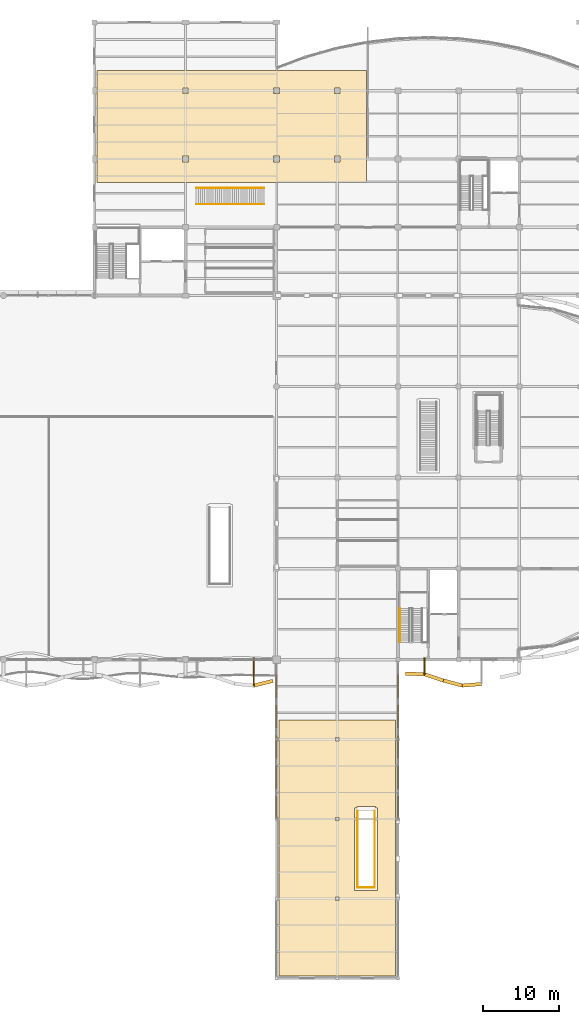
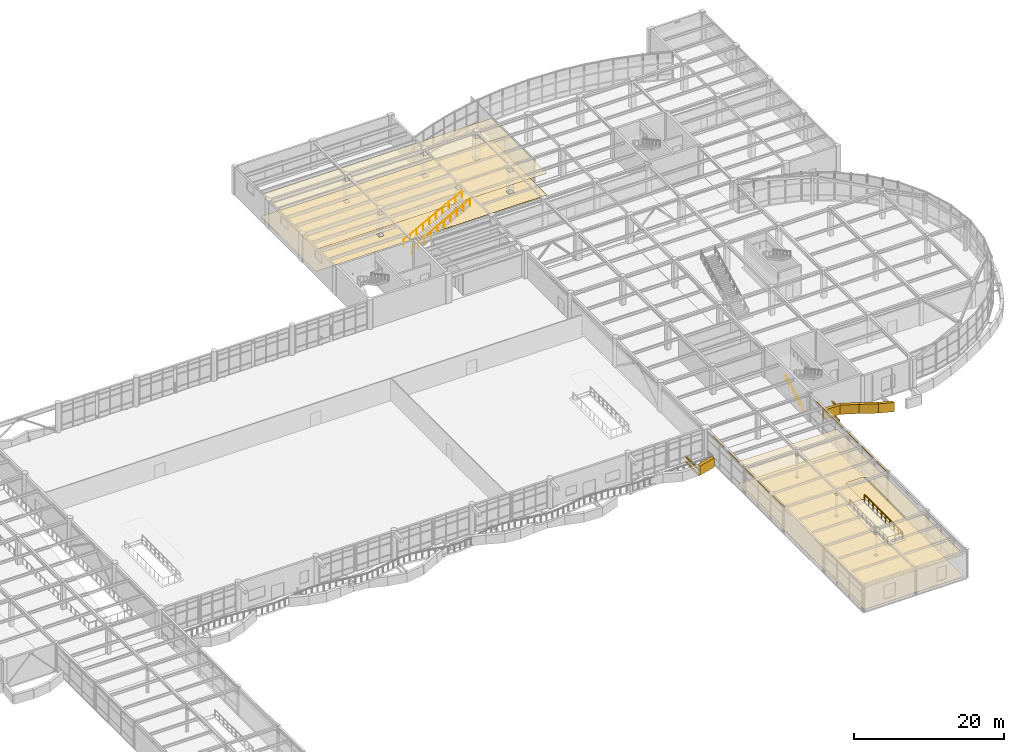
# One storey, part 66 of 72: 13 coverings, 10 shading devices, 4 railings.
"""IFC4 building model written with IfcOpenShell, lengths in metres."""

from ifc_helpers import new_model, si_unit, direction, frame, frame_2d, origin, origin_2d, place, context, subcontext, project, spatial, polyline, rectangle, circle, outline, extrude, material, layer, layer_set, type_object, element, save


model = new_model("IFC4")

# Units and contexts
model_context = context("Model", 3, precision=1e-05, world=origin(), true_north=direction((0.0, 1.0)))
body_context = subcontext(model_context, "Body", "Model", "MODEL_VIEW")
ifc_project = project(units=[si_unit("LENGTHUNIT", "METRE"), si_unit("AREAUNIT", "SQUARE_METRE"), si_unit("VOLUMEUNIT", "CUBIC_METRE"), si_unit("PLANEANGLEUNIT", "RADIAN"), si_unit("MASSUNIT", "GRAM", prefix="KILO")], contexts=[model_context])

# Site, building, storey
site_placement = place(None, origin())
site = spatial("IfcSite", under=ifc_project, at=site_placement, CompositionType="ELEMENT")
building_placement = place(site_placement, origin())
building = spatial("IfcBuilding", under=site, at=building_placement, Name="Keelwater Ferry Terminal", CompositionType="ELEMENT")
storey_placement = place(building_placement, frame((0.0, 0.0, 5.39990234375)))
storey = spatial("IfcBuildingStorey", under=building, at=storey_placement, Name="L01", CompositionType="ELEMENT", Elevation=5.39990234375)

# Coverings
ifc_material_1 = material(Name="Perforated acoustic gypsum board ceiling", Category="gypsum")
ifc_layer_1 = layer(ifc_material_1, 0.044921875)
ifc_layer_set_1 = layer_set([ifc_layer_1], Name="Perforated acoustic gypsum board ceiling")
covering_type_1 = type_object("IfcCoveringType", Name="CL-AC Acoustic Baffle Ceiling", PredefinedType="CEILING", material=ifc_layer_set_1)
covering_1_placement = place(storey_placement, frame((0.0, 0.0, 3.550048828125)))
element("IfcCovering", 1, at=covering_1_placement, inside=storey, type_object=covering_type_1, Name="East Passenger Boarding Bridge Acoustic Ceiling", PredefinedType="CEILING", context=body_context, shape_type="SweptSolid", body=[
    extrude(outline(polyline([(147.615966796875, 34.077880859375), (147.623046875, 34.076904296875), (147.631103515625, 34.073974609375), (147.637939453125, 34.071044921875), (147.64404296875, 34.06689453125), (147.65087890625, 34.06201171875), (147.656982421875, 34.056884765625), (147.662109375, 34.051025390625), (147.6669921875, 34.0439453125), (147.6708984375, 34.0380859375), (147.674072265625, 34.031005859375), (147.677001953125, 34.02294921875), (147.677978515625, 34.01611328125), (147.679931640625, 34.008056640625), (147.679931640625, 34.0), (147.679931640625, 0.39990234375), (147.679931640625, 0.39208984375), (147.677978515625, 0.384033203125), (147.677001953125, 0.376953125), (147.674072265625, 0.368896484375), (147.6708984375, 0.362060546875), (147.6669921875, 0.35595703125), (147.662109375, 0.34912109375), (147.656982421875, 0.343017578125), (147.65087890625, 0.337890625), (147.64404296875, 0.3330078125), (147.637939453125, 0.3291015625), (147.631103515625, 0.325927734375), (147.623046875, 0.322998046875), (147.615966796875, 0.322021484375), (147.60791015625, 0.320068359375), (147.60009765625, 0.320068359375), (132.39990234375, 0.320068359375), (132.39208984375, 0.320068359375), (132.384033203125, 0.322021484375), (132.376953125, 0.322998046875), (132.368896484375, 0.325927734375), (132.362060546875, 0.3291015625), (132.35595703125, 0.3330078125), (132.34912109375, 0.337890625), (132.343017578125, 0.343017578125), (132.337890625, 0.34912109375), (132.3330078125, 0.35595703125), (132.3291015625, 0.362060546875), (132.325927734375, 0.368896484375), (132.322998046875, 0.376953125), (132.322021484375, 0.384033203125), (132.320068359375, 0.39208984375), (132.320068359375, 0.39990234375), (132.320068359375, 34.0), (132.320068359375, 34.008056640625), (132.322021484375, 34.01611328125), (132.322998046875, 34.02294921875), (132.325927734375, 34.031005859375), (132.3291015625, 34.0380859375), (132.3330078125, 34.0439453125), (132.337890625, 34.051025390625), (132.343017578125, 34.056884765625), (132.34912109375, 34.06201171875), (132.35595703125, 34.06689453125), (132.362060546875, 34.071044921875), (132.368896484375, 34.073974609375), (132.376953125, 34.076904296875), (132.384033203125, 34.077880859375), (132.39208984375, 34.080078125), (132.39990234375, 34.080078125), (147.60009765625, 34.080078125), (147.60791015625, 34.080078125), (147.615966796875, 34.077880859375)]), holes=[polyline([(142.580078125, 22.6201171875), (142.580078125, 22.47998046875), (142.300048828125, 22.47998046875), (142.300048828125, 11.60009765625), (145.300048828125, 11.60009765625), (145.300048828125, 22.47998046875), (145.02001953125, 22.47998046875), (145.02001953125, 22.6201171875), (142.580078125, 22.6201171875)]), polyline([(139.787109375, 10.712890625), (139.787109375, 10.287109375), (140.212890625, 10.287109375), (140.212890625, 10.712890625), (139.787109375, 10.712890625)]), polyline([(139.787109375, 21.212890625), (139.787109375, 20.787109375), (140.212890625, 20.787109375), (140.212890625, 21.212890625), (139.787109375, 21.212890625)]), polyline([(139.787109375, 31.712890625), (139.787109375, 31.287109375), (140.212890625, 31.287109375), (140.212890625, 31.712890625), (139.787109375, 31.712890625)])]), origin(), (0.0, 0.0, 1.0), 0.045166015625),
])
covering_2_placement = place(storey_placement, frame((0.0, 0.0, 3.550048828125)))
element("IfcCovering", 2, at=covering_2_placement, inside=storey, type_object=covering_type_1, Name="Schengen Waiting Lounge Acoustic Ceiling", PredefinedType="CEILING", context=body_context, shape_type="SweptSolid", body=[
    extrude(outline(polyline([(143.81591796875, 119.677978515625), (143.822998046875, 119.677001953125), (143.8310546875, 119.674072265625), (143.837890625, 119.6708984375), (143.843994140625, 119.6669921875), (143.85107421875, 119.662109375), (143.85693359375, 119.656982421875), (143.862060546875, 119.65087890625), (143.866943359375, 119.64404296875), (143.87109375, 119.637939453125), (143.8740234375, 119.631103515625), (143.876953125, 119.623046875), (143.8779296875, 119.615966796875), (143.8798828125, 119.60791015625), (143.8798828125, 119.60009765625), (143.8798828125, 105.0), (143.8798828125, 104.991943359375), (143.8779296875, 104.98388671875), (143.876953125, 104.97705078125), (143.8740234375, 104.968994140625), (143.87109375, 104.9619140625), (143.866943359375, 104.9560546875), (143.862060546875, 104.948974609375), (143.85693359375, 104.943115234375), (143.85107421875, 104.93798828125), (143.843994140625, 104.93310546875), (143.837890625, 104.928955078125), (143.8310546875, 104.926025390625), (143.822998046875, 104.923095703125), (143.81591796875, 104.922119140625), (143.80810546875, 104.919921875), (143.800048828125, 104.919921875), (108.39990234375, 104.919921875), (108.39208984375, 104.919921875), (108.384033203125, 104.922119140625), (108.376953125, 104.923095703125), (108.368896484375, 104.926025390625), (108.362060546875, 104.928955078125), (108.35595703125, 104.93310546875), (108.34912109375, 104.93798828125), (108.343017578125, 104.943115234375), (108.337890625, 104.948974609375), (108.3330078125, 104.9560546875), (108.3291015625, 104.9619140625), (108.325927734375, 104.968994140625), (108.322998046875, 104.97705078125), (108.322021484375, 104.98388671875), (108.320068359375, 104.991943359375), (108.320068359375, 105.0), (108.320068359375, 119.60009765625), (108.320068359375, 119.60791015625), (108.322021484375, 119.615966796875), (108.322998046875, 119.623046875), (108.325927734375, 119.631103515625), (108.3291015625, 119.637939453125), (108.3330078125, 119.64404296875), (108.337890625, 119.65087890625), (108.343017578125, 119.656982421875), (108.34912109375, 119.662109375), (108.35595703125, 119.6669921875), (108.362060546875, 119.6708984375), (108.368896484375, 119.674072265625), (108.376953125, 119.677001953125), (108.384033203125, 119.677978515625), (108.39208984375, 119.679931640625), (108.39990234375, 119.679931640625), (143.800048828125, 119.679931640625), (143.80810546875, 119.679931640625), (143.81591796875, 119.677978515625)]), holes=[polyline([(119.614990234375, 108.385009765625), (119.614990234375, 107.614990234375), (120.385009765625, 107.614990234375), (120.385009765625, 108.385009765625), (119.614990234375, 108.385009765625)]), polyline([(119.6650390625, 117.3349609375), (119.6650390625, 116.6650390625), (120.3349609375, 116.6650390625), (120.3349609375, 117.3349609375), (119.6650390625, 117.3349609375)]), polyline([(132.385009765625, 108.385009765625), (131.614990234375, 108.385009765625), (131.614990234375, 107.614990234375), (132.385009765625, 107.614990234375), (132.385009765625, 108.385009765625)]), polyline([(139.614990234375, 108.385009765625), (139.614990234375, 107.614990234375), (140.385009765625, 107.614990234375), (140.385009765625, 108.385009765625), (139.614990234375, 108.385009765625)]), polyline([(131.614990234375, 117.385009765625), (131.614990234375, 116.614990234375), (132.385009765625, 116.614990234375), (132.385009765625, 117.385009765625), (131.614990234375, 117.385009765625)]), polyline([(140.385009765625, 117.385009765625), (139.614990234375, 117.385009765625), (139.614990234375, 116.614990234375), (140.385009765625, 116.614990234375), (140.385009765625, 117.385009765625)])]), origin(), (0.0, 0.0, 1.0), 0.045166015625),
])
ifc_material_2 = material(Name="Polished mineral terrazzo tile", Category="stone")
ifc_layer_2 = layer(ifc_material_2, 0.030029296875)
ifc_layer_set_2 = layer_set([ifc_layer_2], Name="Polished mineral terrazzo tile")
covering_type_2 = type_object("IfcCoveringType", Name="FL-TZ Marine Terrazzo Flooring", PredefinedType="FLOORING", material=ifc_layer_set_2)
covering_3_placement = place(storey_placement, origin())
element("IfcCovering", 3, at=covering_3_placement, inside=storey, type_object=covering_type_2, Name="East Passenger Boarding Bridge Terrazzo Floor", PredefinedType="FLOORING", context=body_context, shape_type="SweptSolid", body=[
    extrude(outline(polyline([(147.615966796875, 34.077880859375), (147.623046875, 34.076904296875), (147.631103515625, 34.073974609375), (147.637939453125, 34.071044921875), (147.64404296875, 34.06689453125), (147.65087890625, 34.06201171875), (147.656982421875, 34.056884765625), (147.662109375, 34.051025390625), (147.6669921875, 34.0439453125), (147.6708984375, 34.0380859375), (147.674072265625, 34.031005859375), (147.677001953125, 34.02294921875), (147.677978515625, 34.01611328125), (147.679931640625, 34.008056640625), (147.679931640625, 34.0), (147.679931640625, 0.39990234375), (147.679931640625, 0.39208984375), (147.677978515625, 0.384033203125), (147.677001953125, 0.376953125), (147.674072265625, 0.368896484375), (147.6708984375, 0.362060546875), (147.6669921875, 0.35595703125), (147.662109375, 0.34912109375), (147.656982421875, 0.343017578125), (147.65087890625, 0.337890625), (147.64404296875, 0.3330078125), (147.637939453125, 0.3291015625), (147.631103515625, 0.325927734375), (147.623046875, 0.322998046875), (147.615966796875, 0.322021484375), (147.60791015625, 0.320068359375), (147.60009765625, 0.320068359375), (132.39990234375, 0.320068359375), (132.39208984375, 0.320068359375), (132.384033203125, 0.322021484375), (132.376953125, 0.322998046875), (132.368896484375, 0.325927734375), (132.362060546875, 0.3291015625), (132.35595703125, 0.3330078125), (132.34912109375, 0.337890625), (132.343017578125, 0.343017578125), (132.337890625, 0.34912109375), (132.3330078125, 0.35595703125), (132.3291015625, 0.362060546875), (132.325927734375, 0.368896484375), (132.322998046875, 0.376953125), (132.322021484375, 0.384033203125), (132.320068359375, 0.39208984375), (132.320068359375, 0.39990234375), (132.320068359375, 34.0), (132.320068359375, 34.008056640625), (132.322021484375, 34.01611328125), (132.322998046875, 34.02294921875), (132.325927734375, 34.031005859375), (132.3291015625, 34.0380859375), (132.3330078125, 34.0439453125), (132.337890625, 34.051025390625), (132.343017578125, 34.056884765625), (132.34912109375, 34.06201171875), (132.35595703125, 34.06689453125), (132.362060546875, 34.071044921875), (132.368896484375, 34.073974609375), (132.376953125, 34.076904296875), (132.384033203125, 34.077880859375), (132.39208984375, 34.080078125), (132.39990234375, 34.080078125), (147.60009765625, 34.080078125), (147.60791015625, 34.080078125), (147.615966796875, 34.077880859375)]), holes=[polyline([(142.580078125, 22.6201171875), (142.580078125, 22.47998046875), (142.300048828125, 22.47998046875), (142.300048828125, 11.60009765625), (145.300048828125, 11.60009765625), (145.300048828125, 22.47998046875), (145.02001953125, 22.47998046875), (145.02001953125, 22.6201171875), (142.580078125, 22.6201171875)]), polyline([(139.787109375, 10.712890625), (139.787109375, 10.287109375), (140.212890625, 10.287109375), (140.212890625, 10.712890625), (139.787109375, 10.712890625)]), polyline([(139.787109375, 21.212890625), (139.787109375, 20.787109375), (140.212890625, 20.787109375), (140.212890625, 21.212890625), (139.787109375, 21.212890625)]), polyline([(139.787109375, 31.712890625), (139.787109375, 31.287109375), (140.212890625, 31.287109375), (140.212890625, 31.712890625), (139.787109375, 31.712890625)])]), origin(), (0.0, 0.0, 1.0), 0.030029296875),
])
covering_4_placement = place(storey_placement, origin())
element("IfcCovering", 4, at=covering_4_placement, inside=storey, type_object=covering_type_2, Name="Schengen Waiting Lounge Terrazzo Floor", PredefinedType="FLOORING", context=body_context, shape_type="SweptSolid", body=[
    extrude(outline(polyline([(143.81591796875, 119.677978515625), (143.822998046875, 119.677001953125), (143.8310546875, 119.674072265625), (143.837890625, 119.6708984375), (143.843994140625, 119.6669921875), (143.85107421875, 119.662109375), (143.85693359375, 119.656982421875), (143.862060546875, 119.65087890625), (143.866943359375, 119.64404296875), (143.87109375, 119.637939453125), (143.8740234375, 119.631103515625), (143.876953125, 119.623046875), (143.8779296875, 119.615966796875), (143.8798828125, 119.60791015625), (143.8798828125, 119.60009765625), (143.8798828125, 105.0), (143.8798828125, 104.991943359375), (143.8779296875, 104.98388671875), (143.876953125, 104.97705078125), (143.8740234375, 104.968994140625), (143.87109375, 104.9619140625), (143.866943359375, 104.9560546875), (143.862060546875, 104.948974609375), (143.85693359375, 104.943115234375), (143.85107421875, 104.93798828125), (143.843994140625, 104.93310546875), (143.837890625, 104.928955078125), (143.8310546875, 104.926025390625), (143.822998046875, 104.923095703125), (143.81591796875, 104.922119140625), (143.80810546875, 104.919921875), (143.800048828125, 104.919921875), (108.39990234375, 104.919921875), (108.39208984375, 104.919921875), (108.384033203125, 104.922119140625), (108.376953125, 104.923095703125), (108.368896484375, 104.926025390625), (108.362060546875, 104.928955078125), (108.35595703125, 104.93310546875), (108.34912109375, 104.93798828125), (108.343017578125, 104.943115234375), (108.337890625, 104.948974609375), (108.3330078125, 104.9560546875), (108.3291015625, 104.9619140625), (108.325927734375, 104.968994140625), (108.322998046875, 104.97705078125), (108.322021484375, 104.98388671875), (108.320068359375, 104.991943359375), (108.320068359375, 105.0), (108.320068359375, 119.60009765625), (108.320068359375, 119.60791015625), (108.322021484375, 119.615966796875), (108.322998046875, 119.623046875), (108.325927734375, 119.631103515625), (108.3291015625, 119.637939453125), (108.3330078125, 119.64404296875), (108.337890625, 119.65087890625), (108.343017578125, 119.656982421875), (108.34912109375, 119.662109375), (108.35595703125, 119.6669921875), (108.362060546875, 119.6708984375), (108.368896484375, 119.674072265625), (108.376953125, 119.677001953125), (108.384033203125, 119.677978515625), (108.39208984375, 119.679931640625), (108.39990234375, 119.679931640625), (143.800048828125, 119.679931640625), (143.80810546875, 119.679931640625), (143.81591796875, 119.677978515625)]), holes=[polyline([(119.614990234375, 108.385009765625), (119.614990234375, 107.614990234375), (120.385009765625, 107.614990234375), (120.385009765625, 108.385009765625), (119.614990234375, 108.385009765625)]), polyline([(119.6650390625, 117.3349609375), (119.6650390625, 116.6650390625), (120.3349609375, 116.6650390625), (120.3349609375, 117.3349609375), (119.6650390625, 117.3349609375)]), polyline([(132.385009765625, 108.385009765625), (131.614990234375, 108.385009765625), (131.614990234375, 107.614990234375), (132.385009765625, 107.614990234375), (132.385009765625, 108.385009765625)]), polyline([(139.614990234375, 108.385009765625), (139.614990234375, 107.614990234375), (140.385009765625, 107.614990234375), (140.385009765625, 108.385009765625), (139.614990234375, 108.385009765625)]), polyline([(131.614990234375, 117.385009765625), (131.614990234375, 116.614990234375), (132.385009765625, 116.614990234375), (132.385009765625, 117.385009765625), (131.614990234375, 117.385009765625)]), polyline([(140.385009765625, 117.385009765625), (139.614990234375, 117.385009765625), (139.614990234375, 116.614990234375), (140.385009765625, 116.614990234375), (140.385009765625, 117.385009765625)])]), origin(), (0.0, 0.0, 1.0), 0.030029296875),
])

# Railings
ifc_material_3 = material(Name="Painted Steel S355", Category="steel")
railing_type_1 = type_object("IfcRailingType", Name="GR-115 Stair Well Guardrail", PredefinedType="GUARDRAIL", material=ifc_material_3)
railing_1_placement = place(storey_placement, frame((144.93994140625, 22.080078125, 0.0)))
element("IfcRailing", 5, at=railing_1_placement, inside=storey, type_object=railing_type_1, Name="Straight Stair BS-02 Top Well U-Guard 126", PredefinedType="GUARDRAIL", context=body_context, shape_type="SweptSolid", body=[
    extrude(circle(Radius=0.02392578125, at=origin_2d()), frame((0.0, 0.0, 1.1259765625), z_axis=(0.0, -1.0, 0.0), x_axis=(1.0, 0.0, 0.0)), (0.0, 0.0, 1.0), 10.1201171875),
    extrude(circle(Radius=0.02392578125, at=origin_2d()), frame((0.0, -10.1201171875, 1.1259765625), z_axis=(-1.0, 0.0, 0.0), x_axis=(0.0, -1.0, 0.0)), (0.0, 0.0, 1.0), 2.280029296875),
    extrude(circle(Radius=0.02392578125, at=origin_2d()), frame((-2.280029296875, -10.1201171875, 1.1259765625), z_axis=(0.0, 1.0, 0.0), x_axis=(-1.0, 0.0, 0.0)), (0.0, 0.0, 1.0), 10.1201171875),
    extrude(circle(Radius=0.02099609375, at=origin_2d()), origin(), (0.0, 0.0, 1.0), 1.101806640625),
    extrude(circle(Radius=0.02099609375, at=origin_2d()), frame((0.0, -1.12451171875, 0.0)), (0.0, 0.0, 1.0), 1.101806640625),
    extrude(circle(Radius=0.02099609375, at=origin_2d()), frame((0.0, -2.2490234375, 0.0)), (0.0, 0.0, 1.0), 1.101806640625),
    extrude(circle(Radius=0.02099609375, at=origin_2d()), frame((0.0, -3.373291015625, 0.0)), (0.0, 0.0, 1.0), 1.101806640625),
    extrude(circle(Radius=0.02099609375, at=origin_2d()), frame((0.0, -4.497802734375, 0.0)), (0.0, 0.0, 1.0), 1.101806640625),
    extrude(circle(Radius=0.02099609375, at=origin_2d()), frame((0.0, -5.622314453125, 0.0)), (0.0, 0.0, 1.0), 1.101806640625),
    extrude(circle(Radius=0.02099609375, at=origin_2d()), frame((0.0, -6.746826171875, 0.0)), (0.0, 0.0, 1.0), 1.101806640625),
    extrude(circle(Radius=0.02099609375, at=origin_2d()), frame((0.0, -7.87109375, 0.0)), (0.0, 0.0, 1.0), 1.101806640625),
    extrude(circle(Radius=0.02099609375, at=origin_2d()), frame((0.0, -8.99560546875, 0.0)), (0.0, 0.0, 1.0), 1.101806640625),
    extrude(circle(Radius=0.02099609375, at=origin_2d()), frame((0.0, -10.1201171875, 0.0)), (0.0, 0.0, 1.0), 1.101806640625),
    extrude(circle(Radius=0.02099609375, at=origin_2d()), frame((-1.14013671875, -10.1201171875, 0.0)), (0.0, 0.0, 1.0), 1.101806640625),
    extrude(circle(Radius=0.02099609375, at=origin_2d()), frame((-2.280029296875, -10.1201171875, 0.0)), (0.0, 0.0, 1.0), 1.101806640625),
    extrude(circle(Radius=0.02099609375, at=origin_2d()), frame((-2.280029296875, -8.99560546875, 0.0)), (0.0, 0.0, 1.0), 1.101806640625),
    extrude(circle(Radius=0.02099609375, at=origin_2d()), frame((-2.280029296875, -7.87109375, 0.0)), (0.0, 0.0, 1.0), 1.101806640625),
    extrude(circle(Radius=0.02099609375, at=origin_2d()), frame((-2.280029296875, -6.746826171875, 0.0)), (0.0, 0.0, 1.0), 1.101806640625),
    extrude(circle(Radius=0.02099609375, at=origin_2d()), frame((-2.280029296875, -5.622314453125, 0.0)), (0.0, 0.0, 1.0), 1.101806640625),
    extrude(circle(Radius=0.02099609375, at=origin_2d()), frame((-2.280029296875, -4.497802734375, 0.0)), (0.0, 0.0, 1.0), 1.101806640625),
    extrude(circle(Radius=0.02099609375, at=origin_2d()), frame((-2.280029296875, -3.373291015625, 0.0)), (0.0, 0.0, 1.0), 1.101806640625),
    extrude(circle(Radius=0.02099609375, at=origin_2d()), frame((-2.280029296875, -2.2490234375, 0.0)), (0.0, 0.0, 1.0), 1.101806640625),
    extrude(circle(Radius=0.02099609375, at=origin_2d()), frame((-2.280029296875, -1.12451171875, 0.0)), (0.0, 0.0, 1.0), 1.101806640625),
    extrude(circle(Radius=0.02099609375, at=origin_2d()), frame((-2.280029296875, 0.0, 0.0)), (0.0, 0.0, 1.0), 1.101806640625),
])
for number, where, name in (
    (6, (121.39990234375, 102.0400390625, 0.0), "Straight Stair AS-02 Flight Guard 130"),
    (7, (121.39990234375, 104.159912109375, 0.0), "Straight Stair AS-02 Flight Guard 131"),
):
    element("IfcRailing", number, at=place(storey_placement, frame(where)), inside=storey, type_object=railing_type_1, Name=name, PredefinedType="GUARDRAIL", context=body_context, shape_type="SweptSolid", body=[
        extrude(circle(Radius=0.02392578125, at=origin_2d()), frame((0.0, 0.0, 1.1259765625), z_axis=(0.881482469406, 0.0, 0.472216746982), x_axis=(0.0, 1.0, 0.0)), (0.0, 0.0, 1.0), 10.1650390625),
        extrude(circle(Radius=0.02099609375, at=origin_2d()), origin(), (0.0, 0.0, 1.0), 1.101806640625),
        extrude(circle(Radius=0.02099609375, at=origin_2d()), frame((0.99560546875, 0.0, 0.533447265625)), (0.0, 0.0, 1.0), 1.101806640625),
        extrude(circle(Radius=0.02099609375, at=origin_2d()), frame((1.9912109375, 0.0, 1.066650390625)), (0.0, 0.0, 1.0), 1.101806640625),
        extrude(circle(Radius=0.02099609375, at=origin_2d()), frame((2.98681640625, 0.0, 1.60009765625)), (0.0, 0.0, 1.0), 1.101806640625),
        extrude(circle(Radius=0.02099609375, at=origin_2d()), frame((3.982421875, 0.0, 2.13330078125)), (0.0, 0.0, 1.0), 1.101806640625),
        extrude(circle(Radius=0.02099609375, at=origin_2d()), frame((4.977783203125, 0.0, 2.666748046875)), (0.0, 0.0, 1.0), 1.101806640625),
        extrude(circle(Radius=0.02099609375, at=origin_2d()), frame((5.973388671875, 0.0, 3.199951171875)), (0.0, 0.0, 1.0), 1.101806640625),
        extrude(circle(Radius=0.02099609375, at=origin_2d()), frame((6.968994140625, 0.0, 3.7333984375)), (0.0, 0.0, 1.0), 1.101806640625),
        extrude(circle(Radius=0.02099609375, at=origin_2d()), frame((7.964599609375, 0.0, 4.2666015625)), (0.0, 0.0, 1.0), 1.101806640625),
        extrude(circle(Radius=0.02099609375, at=origin_2d()), frame((8.960205078125, 0.0, 4.800048828125)), (0.0, 0.0, 1.0), 1.101806640625),
    ])
ifc_material_4 = material(Name="Brushed stainless steel handrail", Category="steel")
railing_type_2 = type_object("IfcRailingType", Name="HR-920 Stair Pitch Handrail", PredefinedType="HANDRAIL", material=ifc_material_4)
railing_2_placement = place(storey_placement, frame((148.260009765625, 44.300048828125, 0.0)))
element("IfcRailing", 8, at=railing_2_placement, inside=storey, type_object=railing_type_2, Name="Stair ST-C4-L01 Flight 1 Handrail 78", PredefinedType="HANDRAIL", context=body_context, shape_type="SweptSolid", body=[
    extrude(circle(Radius=0.02392578125, at=origin_2d()), frame((0.0, 0.0, 0.89599609375), z_axis=(0.0, 0.881467115574, 0.472245406714), x_axis=(-1.0, 0.0, 0.0)), (0.0, 0.0, 1.0), 5.08251953125),
    extrude(circle(Radius=0.02099609375, at=origin_2d()), origin(), (0.0, 0.0, 1.0), 0.871826171875),
    extrude(circle(Radius=0.02099609375, at=origin_2d()), frame((0.0, 0.89599609375, 0.47998046875)), (0.0, 0.0, 1.0), 0.871826171875),
    extrude(circle(Radius=0.02099609375, at=origin_2d()), frame((0.0, 1.7919921875, 0.9599609375)), (0.0, 0.0, 1.0), 0.871826171875),
    extrude(circle(Radius=0.02099609375, at=origin_2d()), frame((0.0, 2.68798828125, 1.440185546875)), (0.0, 0.0, 1.0), 0.871826171875),
    extrude(circle(Radius=0.02099609375, at=origin_2d()), frame((0.0, 3.583984375, 1.920166015625)), (0.0, 0.0, 1.0), 0.871826171875),
    extrude(circle(Radius=0.02099609375, at=origin_2d()), frame((0.0, 4.47998046875, 2.400146484375)), (0.0, 0.0, 1.0), 0.871826171875),
])

# Shading devices
ifc_material_5 = material(Name="Anodised marine aluminium louvre", Category="aluminium")
ifc_layer_3 = layer(ifc_material_5, 0.080078125)
ifc_layer_set_3 = layer_set([ifc_layer_3], Name="Anodised marine aluminium louvre")
shading_device_type = type_object("IfcShadingDeviceType", Name="LV-MAR Marine Shading Louvre", PredefinedType="JALOUSIE", material=ifc_layer_set_3)
for number, where, z_axis, x_axis, name in (
    (9, (132.0, 22.5, 4.31005859375), (0.0, 0.0, 1.0), (1.0, 0.0, 0.0), "Marine Shading Louvre 11"),
    (10, (132.0, 26.5, 4.31005859375), (0.0, 0.0, 1.0), (1.0, 0.0, 0.0), "Marine Shading Louvre 12"),
    (11, (132.0, 30.5, 4.31005859375), (0.0, 0.0, 1.0), (1.0, 0.0, 0.0), "Marine Shading Louvre 13"),
    (12, (132.0, 34.5, 4.31005859375), (0.0, 0.0, 1.0), (1.0, 0.0, 0.0), "Marine Shading Louvre 14"),
    (13, (132.0, 38.5, 4.31005859375), (0.0, 0.0, 1.0), (1.0, 0.0, 0.0), "Marine Shading Louvre 15"),
    (14, (148.0, 22.5, 4.31005859375), (0.0, 0.0, 1.0), (1.0, 0.0, 0.0), "Marine Shading Louvre 16"),
    (15, (148.0, 26.5, 4.31005859375), (0.0, 0.0, 1.0), (1.0, 0.0, 0.0), "Marine Shading Louvre 17"),
    (16, (148.0, 30.5, 4.31005859375), (0.0, 0.0, 1.0), (1.0, 0.0, 0.0), "Marine Shading Louvre 18"),
    (17, (148.0, 34.5, 4.31005859375), (0.0, 0.0, 1.0), (1.0, 0.0, 0.0), "Marine Shading Louvre 19"),
    (18, (148.0, 38.5, 4.31005859375), (0.0, 0.0, 1.0), (1.0, 0.0, 0.0), "Marine Shading Louvre 20"),
):
    element("IfcShadingDevice", number, at=place(storey_placement, frame(where, z_axis=z_axis, x_axis=x_axis)), inside=storey, type_object=shading_device_type, Name=name, PredefinedType="JALOUSIE", context=body_context, shape_type="SweptSolid", body=[
        extrude(rectangle(XDim=0.219970703125, YDim=3.0, at=origin_2d()), origin(), (0.0, 0.0, 1.0), 0.080078125),
    ])

# Coverings
ifc_material_6 = material(Name="Matte white architectural aluminium fascia ribbon", Category="aluminium")
ifc_layer_4 = layer(ifc_material_6, 0.1201171875)
ifc_layer_set_4 = layer_set([ifc_layer_4], Name="Matte white architectural aluminium fascia ribbon")
covering_type_3 = type_object("IfcCoveringType", Name="RB-WHT Matte White Fascia Ribbon", PredefinedType="CLADDING", material=ifc_layer_set_4)
covering_5_placement = place(storey_placement, frame((128.97607421875, 38.572998046875, -0.0048828125), z_axis=(0.0, 0.0, 1.0), x_axis=(0.969062454422, 0.246815638545, 0.0)))
element("IfcCovering", 19, at=covering_5_placement, inside=storey, type_object=covering_type_3, Name="Concourse Lower Wave Fascia Ribbon 543", PredefinedType="CLADDING", context=body_context, shape_type="SweptSolid", body=[
    extrude(outline(polyline([(0.0, 0.0), (2.629150390625, 0.035888671875), (2.629150390625, 1.535888671875), (0.0, 1.5), (0.0, 0.0)])), frame((0.0, 0.22998046875, 0.0), z_axis=(0.0, -1.0, 0.0), x_axis=(1.0, 0.0, 0.0)), (0.0, 0.0, 1.0), 0.4599609375),
])
covering_6_placement = place(storey_placement, frame((129.0, 38.5791015625, 0.60498046875), z_axis=(0.0, 0.0, 1.0), x_axis=(0.0, 1.0, 0.0)))
element("IfcCovering", 20, at=covering_6_placement, inside=storey, type_object=covering_type_3, Name="Ribbon Horizontal Tie Bracket 547", PredefinedType="CLADDING", context=body_context, shape_type="SweptSolid", body=[
    extrude(rectangle(XDim=3.6708984375, YDim=0.159912109375, at=frame_2d((1.83544921875, 0.0))), origin(), (0.0, 0.0, 1.0), 0.280029296875),
])
covering_7_placement = place(storey_placement, frame((129.0, 38.5791015625, -0.25), z_axis=(0.0, 0.0, 1.0), x_axis=(0.0, 1.0, 0.0)))
element("IfcCovering", 21, at=covering_7_placement, inside=storey, type_object=covering_type_3, Name="Ribbon Slab Tie Bracket 550", PredefinedType="CLADDING", context=body_context, shape_type="SweptSolid", body=[
    extrude(rectangle(XDim=3.6708984375, YDim=0.159912109375, at=frame_2d((1.83544921875, 0.0))), origin(), (0.0, 0.0, 1.0), 0.300048828125),
])
covering_8_placement = place(storey_placement, frame((148.97509765625, 40.1708984375, 1.10107421875), z_axis=(0.0, 0.0, 1.0), x_axis=(0.999263716325, -0.038366981065, 0.0)))
element("IfcCovering", 22, at=covering_8_placement, inside=storey, type_object=covering_type_3, Name="Concourse Lower Wave Fascia Ribbon 579", PredefinedType="CLADDING", context=body_context, shape_type="SweptSolid", body=[
    extrude(outline(polyline([(0.0, 0.0), (2.5517578125, 0.031005859375), (2.5517578125, 1.531005859375), (0.0, 1.5), (0.0, 0.0)])), frame((0.0, 0.22998046875, 0.0), z_axis=(0.0, -1.0, 0.0), x_axis=(1.0, 0.0, 0.0)), (0.0, 0.0, 1.0), 0.4599609375),
])
covering_9_placement = place(storey_placement, frame((151.47607421875, 40.08203125, 0.904052734375), z_axis=(0.0, 0.0, 1.0), x_axis=(0.949922945862, -0.312484234682, 0.0)))
element("IfcCovering", 23, at=covering_9_placement, inside=storey, type_object=covering_type_3, Name="Concourse Lower Wave Fascia Ribbon 583", PredefinedType="CLADDING", context=body_context, shape_type="SweptSolid", body=[
    extrude(outline(polyline([(0.0, 0.22802734375), (2.68212890625, 0.0), (2.68212890625, 1.5), (0.0, 1.72802734375), (0.0, 0.22802734375)])), frame((0.0, 0.22998046875, 0.0), z_axis=(0.0, -1.0, 0.0), x_axis=(1.0, 0.0, 0.0)), (0.0, 0.0, 1.0), 0.4599609375),
])
covering_10_placement = place(storey_placement, frame((151.5, 40.073974609375, 1.7421875), z_axis=(0.0, 0.0, 1.0), x_axis=(0.0, 1.0, 0.0)))
element("IfcCovering", 24, at=covering_10_placement, inside=storey, type_object=covering_type_3, Name="Ribbon Horizontal Tie Bracket 587", PredefinedType="CLADDING", context=body_context, shape_type="SweptSolid", body=[
    extrude(rectangle(XDim=2.176025390625, YDim=0.159912109375, at=frame_2d((1.087890625, 0.0))), origin(), (0.0, 0.0, 1.0), 0.280029296875),
])
covering_11_placement = place(storey_placement, frame((151.5, 40.073974609375, -0.25), z_axis=(0.0, 0.0, 1.0), x_axis=(0.0, 1.0, 0.0)))
element("IfcCovering", 25, at=covering_11_placement, inside=storey, type_object=covering_type_3, Name="Ribbon Slab Tie Bracket 589", PredefinedType="CLADDING", context=body_context, shape_type="SweptSolid", body=[
    extrude(rectangle(XDim=2.176025390625, YDim=0.159912109375, at=frame_2d((1.087890625, 0.0))), origin(), (0.0, 0.0, 1.0), 0.300048828125),
])
covering_12_placement = place(storey_placement, frame((153.97607421875, 39.258056640625, 0.481201171875), z_axis=(0.0, 0.0, 1.0), x_axis=(0.966647246159, -0.256111502073, 0.0)))
element("IfcCovering", 26, at=covering_12_placement, inside=storey, type_object=covering_type_3, Name="Concourse Lower Wave Fascia Ribbon 594", PredefinedType="CLADDING", context=body_context, shape_type="SweptSolid", body=[
    extrude(outline(polyline([(0.0, 0.4228515625), (2.6357421875, 0.0), (2.6357421875, 1.5), (0.0, 1.9228515625), (0.0, 0.4228515625)])), frame((0.0, 0.22998046875, 0.0), z_axis=(0.0, -1.0, 0.0), x_axis=(1.0, 0.0, 0.0)), (0.0, 0.0, 1.0), 0.4599609375),
])
covering_13_placement = place(storey_placement, frame((156.47509765625, 38.5869140625, -0.304931640625), z_axis=(0.0, 0.0, 1.0), x_axis=(0.9964929164, 0.083677162743, 0.0)))
element("IfcCovering", 27, at=covering_13_placement, inside=storey, type_object=covering_type_3, Name="Concourse Lower Wave Fascia Ribbon 598", PredefinedType="CLADDING", context=body_context, shape_type="SweptSolid", body=[
    extrude(outline(polyline([(0.0, 0.7861328125), (2.558837890625, 0.0), (2.558837890625, 1.5), (0.0, 2.2861328125), (0.0, 0.7861328125)])), frame((0.0, 0.22998046875, 0.0), z_axis=(0.0, -1.0, 0.0), x_axis=(1.0, 0.0, 0.0)), (0.0, 0.0, 1.0), 0.4599609375),
])

save(model, "model.ifc")
